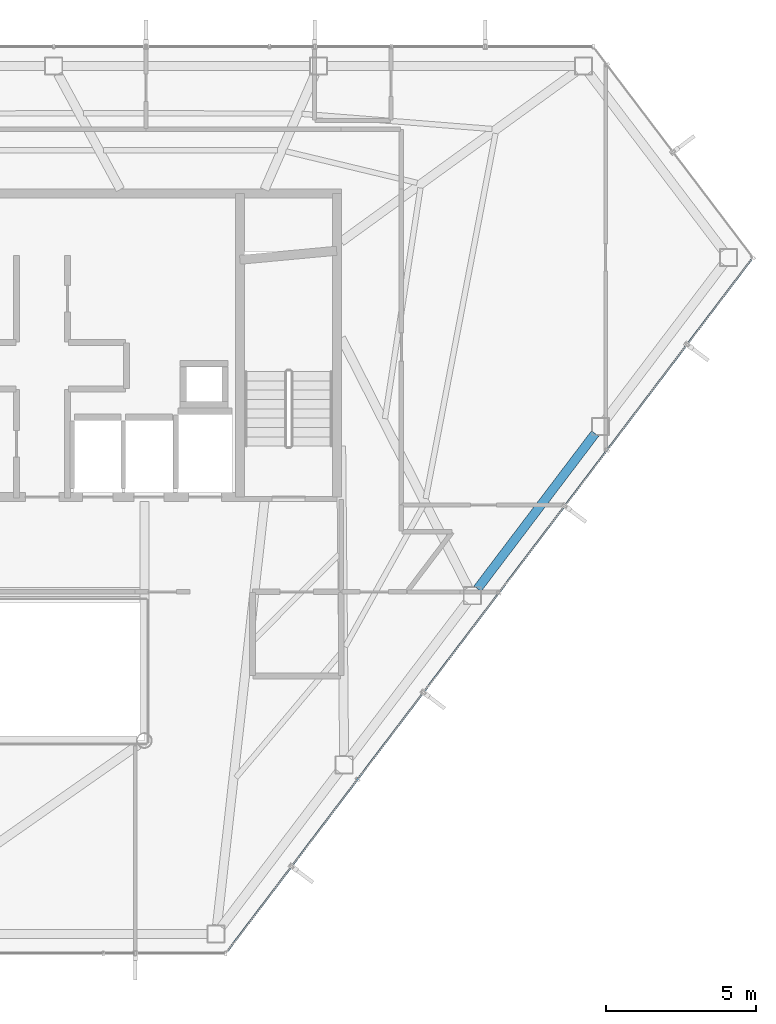
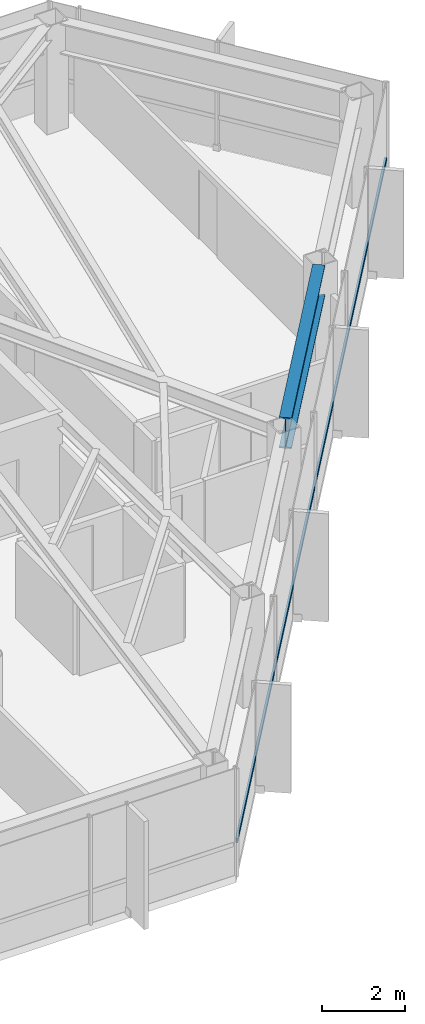
# One storey, part 18 of 28: 1 beam, 1 member, 1 element without a shape of its own.
"""IFC4 building model written with IfcOpenShell, lengths in metres."""

from ifc_helpers import new_model, si_unit, direction, frame, origin, origin_2d, place, context, subcontext, project, spatial, hollow_rectangle, i_section, extrude, material, layer, layer_set, material_profile, profile_set, type_object, element, aggregate, save


model = new_model("IFC4")

# Units and contexts
model_context = context("Model", 3, precision=1e-05, world=origin(), true_north=direction((0.0, 1.0)))
body_context = subcontext(model_context, "Body", "Model", "MODEL_VIEW")
ifc_project = project(units=[si_unit("LENGTHUNIT", "METRE"), si_unit("AREAUNIT", "SQUARE_METRE"), si_unit("VOLUMEUNIT", "CUBIC_METRE"), si_unit("PLANEANGLEUNIT", "RADIAN"), si_unit("MASSUNIT", "GRAM", prefix="KILO")], contexts=[model_context])

# Site, building, storey
site_placement = place(None, origin())
site = spatial("IfcSite", under=ifc_project, at=site_placement, CompositionType="ELEMENT")
building_placement = place(site_placement, origin())
building = spatial("IfcBuilding", under=site, at=building_placement, Name="Zarrinselat Tower", CompositionType="ELEMENT")
storey_placement = place(building_placement, frame((0.0, 0.0, 222.360107421875)))
storey = spatial("IfcBuildingStorey", under=building, at=storey_placement, Name="L55", CompositionType="ELEMENT", Elevation=222.360107421875)

# Beam
ifc_material_1 = material(Name="Steel S460M", Category="steel")
ifc_material_profile_1 = material_profile(ifc_material_1, i_section(OverallWidth=0.302001953125, OverallDepth=0.909912109375, WebThickness=0.02099609375, FlangeThickness=0.0400390625, at=origin_2d()), Name="HEM 900")
ifc_profile_set_1 = profile_set([ifc_material_profile_1], Name="Steel S460M")
beam_type = type_object("IfcBeamType", Name="BM-HEM900", PredefinedType="BEAM", material=ifc_profile_set_1)
beam_placement = place(storey_placement, frame((52.8876953125, 30.25146484375, 2.724853515625), z_axis=(0.603854788162, 0.797094344989, 0.0), x_axis=(-0.797094344989, 0.603854788162, 0.0)))
element("IfcBeam", 1, at=beam_placement, inside=storey, type_object=beam_type, Name="L55 Perimeter Spandrel Girder SP13", PredefinedType="BEAM", context=body_context, shape_type="SweptSolid", body=[
    extrude(i_section(OverallWidth=0.302001953125, OverallDepth=0.909912109375, WebThickness=0.02099609375, FlangeThickness=0.0400390625, at=origin_2d()), origin(), (0.0, 0.0, 1.0), 6.48388671875),
])

# Curtain wall, member
ifc_material_2 = material(Name="Extruded Aluminium Alloy EN AW-6063 T6", Category="aluminium")
ifc_layer = layer(ifc_material_2, 0.169921875)
ifc_layer_set = layer_set([ifc_layer], Name="Extruded Aluminium Alloy EN AW-6063 T6")
curtain_wall_type = type_object("IfcCurtainWallType", Name="CWS-RES", PredefinedType="NOTDEFINED", material=ifc_layer_set)
curtain_wall_placement = place(storey_placement, origin())
curtain_wall = element("IfcCurtainWall", 2, at=curtain_wall_placement, inside=storey, type_object=curtain_wall_type, Name="L55 Unitised Curtain Wall CW-L55-E05", PredefinedType="NOTDEFINED")
ifc_material_3 = material(Name="Extruded Aluminium Alloy EN AW-6063 T6", Category="aluminium")
ifc_material_profile_2 = material_profile(ifc_material_3, hollow_rectangle(XDim=0.06005859375, YDim=0.1201171875, WallThickness=0.00390625, at=origin_2d()), Name="RHS 120x60x4")
ifc_profile_set_2 = profile_set([ifc_material_profile_2], Name="Extruded Aluminium Alloy EN AW-6063 T6")
member_type = type_object("IfcMemberType", Name="MEM-CW-TRN2", PredefinedType="USERDEFINED", material=ifc_profile_set_2)
member_placement = place(storey_placement, frame((44.564453125, 18.1884765625, 0.949951171875), z_axis=(0.603861920342, 0.797088941813, 0.0), x_axis=(-0.797088941813, 0.603861920342, 0.0)))
member = element("IfcMember", 3, at=member_placement, type_object=member_type, Name="CW-L55-E05 Transom 1", ObjectType="TRANSOM", PredefinedType="USERDEFINED", context=body_context, shape_type="SweptSolid", body=[
    extrude(hollow_rectangle(XDim=0.06005859375, YDim=0.1201171875, WallThickness=0.00390625, at=origin_2d()), origin(), (0.0, 0.0, 1.0), 28.875732421875),
])
aggregate(curtain_wall, [member])

save(model, "model.ifc")
